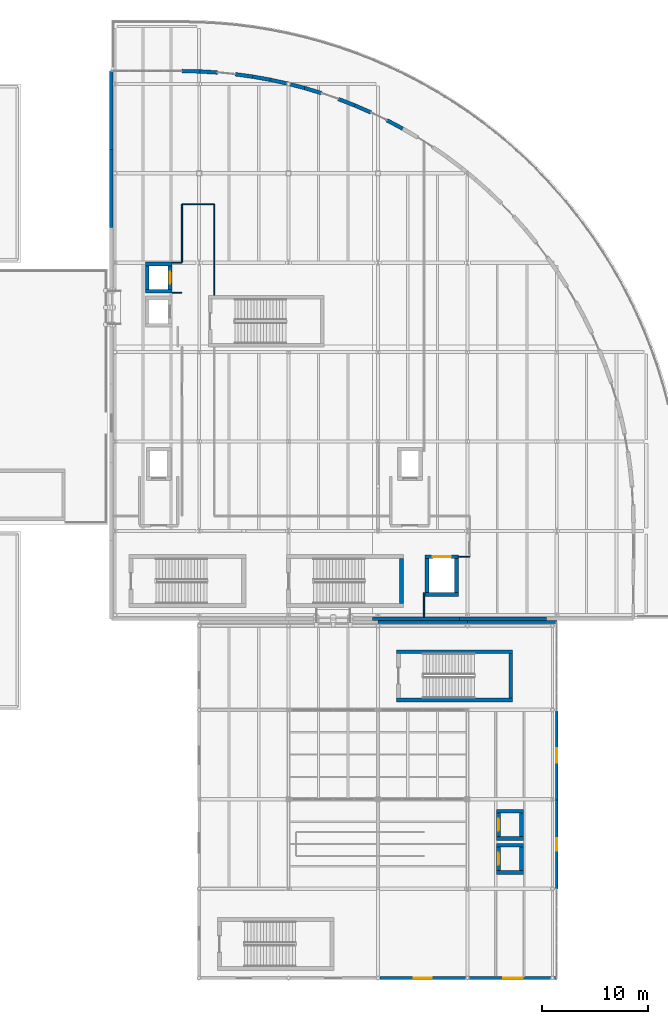
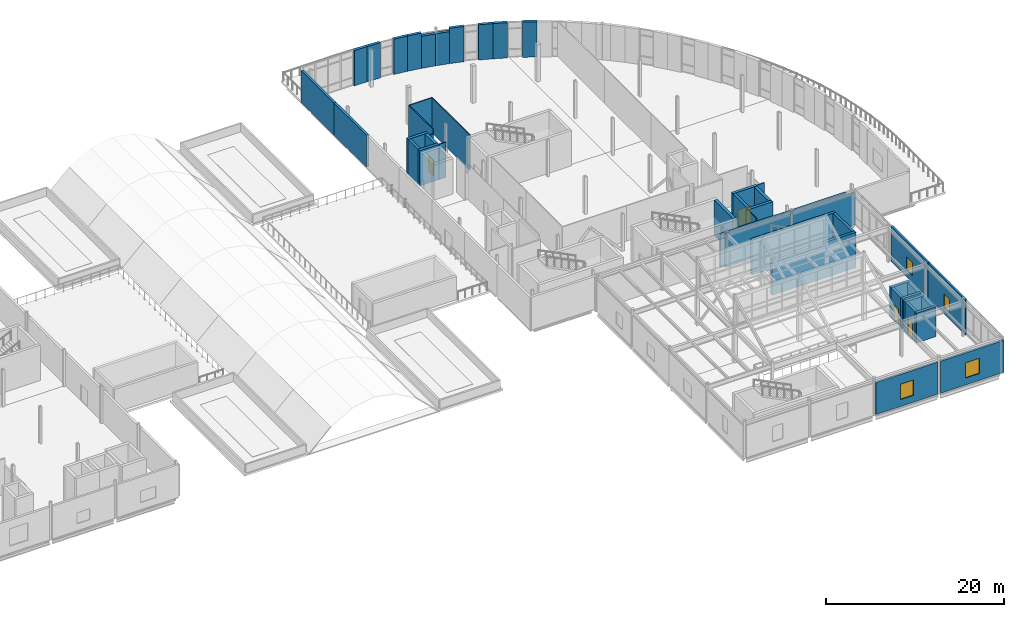
# One storey, part 70 of 91: 47 walls, 4 doors, 4 windows, 8 openings.
"""IFC4 building model written with IfcOpenShell, lengths in metres."""

import ifcopenshell
import ifcopenshell.guid

model = None  # the IFC model being written
_history = None  # IfcOwnerHistory: only IFC2X3 demands one
_inside = {}  # id of a spatial element -> (the spatial element, [elements in it])
_under = {}  # id of a project, library or spatial element -> (it, [spatial elements below it])
_declared = {}  # id of a project -> (the project, [libraries it declares])
_typed = {}  # id of a type object -> (the type object, [elements of that type])
_made_of = {}  # id of a material, layer set ... -> (it, [elements and type objects made of it])


def new_model(schema):
    """Start an empty IFC model of exactly this schema.

    Asked for "IFC4X3", IfcOpenShell would pick the latest addendum, in which some entities
    have other attributes; the version numbers below select the first issue.
    IFC2X3 requires an IfcOwnerHistory on every rooted entity: one is made here for all.
    """
    global model, _history
    if schema == "IFC4X3":
        model = ifcopenshell.file(schema_version=(4, 3, 0, 0))
    else:
        model = ifcopenshell.file(schema=schema)
    _inside.clear()
    _under.clear()
    _declared.clear()
    _typed.clear()
    _made_of.clear()
    _history = None
    if model.schema == "IFC2X3":
        org = make("IfcOrganization", Name="unknown")
        user = make(
            "IfcPersonAndOrganization",
            ThePerson=make("IfcPerson", FamilyName="unknown"),
            TheOrganization=org,
        )
        app = make(
            "IfcApplication",
            ApplicationDeveloper=org,
            Version="unknown",
            ApplicationFullName="unknown",
            ApplicationIdentifier="unknown",
        )
        _history = make(
            "IfcOwnerHistory",
            OwningUser=user,
            OwningApplication=app,
            ChangeAction="ADDED",
            CreationDate=0,
        )
    return model


def make(cls, **values):
    """One entity of the class cls with the attributes given. An attribute that is None is left unset."""
    return model.create_entity(
        cls, **{name: value for name, value in values.items() if value is not None}
    )


def rooted(cls, **values):
    """An entity with a GlobalId (a new one), such as an element, a storey or a relation."""
    return make(cls, GlobalId=ifcopenshell.guid.new(), OwnerHistory=_history, **values)


def si_unit(unit_type, name, prefix=None):
    """IfcSIUnit, for example si_unit("LENGTHUNIT", "METRE", prefix="MILLI")."""
    return make("IfcSIUnit", UnitType=unit_type, Prefix=prefix, Name=name)


def assignment(units):
    """IfcUnitAssignment: the units of a project."""
    return None if units is None else make("IfcUnitAssignment", Units=units)


def point(xyz):
    """IfcCartesianPoint."""
    return None if xyz is None else make("IfcCartesianPoint", Coordinates=xyz)


def direction(xyz):
    """IfcDirection."""
    return None if xyz is None else make("IfcDirection", DirectionRatios=xyz)


def frame(location, z_axis=None, x_axis=None):
    """IfcAxis2Placement3D, a coordinate frame: its origin and axes. An axis left out is left unset."""
    return make(
        "IfcAxis2Placement3D",
        Location=point(location),
        Axis=direction(z_axis),
        RefDirection=direction(x_axis),
    )


def frame_2d(location, x_axis=None):
    """IfcAxis2Placement2D, a coordinate frame in the plane: its origin and x axis."""
    return make(
        "IfcAxis2Placement2D", Location=point(location), RefDirection=direction(x_axis)
    )


def origin():
    """The frame at (0, 0, 0) with its axes left unset."""
    return frame((0.0, 0.0, 0.0))


def place(relative_to, where):
    """IfcLocalPlacement: puts the frame where relative to a parent placement (None: the world)."""
    return make(
        "IfcLocalPlacement", PlacementRelTo=relative_to, RelativePlacement=where
    )


def context(
    kind, dimensions, precision=None, world=None, true_north=None, identifier=None
):
    """IfcGeometricRepresentationContext, for example the 3D "Model" context."""
    return make(
        "IfcGeometricRepresentationContext",
        ContextIdentifier=identifier,
        ContextType=kind,
        CoordinateSpaceDimension=dimensions,
        Precision=precision,
        WorldCoordinateSystem=world,
        TrueNorth=true_north,
    )


def subcontext(parent, identifier, kind, view, scale=None):
    """IfcGeometricRepresentationSubContext, for example "Body" below "Model"."""
    return make(
        "IfcGeometricRepresentationSubContext",
        ContextIdentifier=identifier,
        ContextType=kind,
        ParentContext=parent,
        TargetScale=scale,
        TargetView=view,
    )


def project(units=None, contexts=None):
    """IfcProject with its units and contexts."""
    return rooted(
        "IfcProject",
        Name="project",
        RepresentationContexts=contexts,
        UnitsInContext=assignment(units),
    )


def spatial(cls, under=None, at=None, **own):
    """A site, building, storey or space (cls), placed at a placement, below another one or the project."""
    s = rooted(cls, ObjectPlacement=at, **own)
    if under is not None:
        _under.setdefault(under.id(), (under, []))[1].append(s)
    return s


def profile(cls, at=None, kind="AREA", **sizes):
    """A parametric profile (cls). Its sizes go by their IFC names, for example OverallWidth=200.0."""
    return make(cls, ProfileType=kind, Position=at, **sizes)


def rectangle(**sizes):
    """IfcRectangleProfileDef."""
    return profile("IfcRectangleProfileDef", **sizes)


def extrude(swept, where, along, depth):
    """IfcExtrudedAreaSolid: the profile swept, set in the frame where, extruded along a direction by depth."""
    return make(
        "IfcExtrudedAreaSolid",
        SweptArea=swept,
        Position=where,
        ExtrudedDirection=direction(along),
        Depth=depth,
    )


def shape(context_of_items, identifier, shape_type, items):
    """IfcShapeRepresentation: the items that make up one representation, for example the "Body"."""
    return make(
        "IfcShapeRepresentation",
        ContextOfItems=context_of_items,
        RepresentationIdentifier=identifier,
        RepresentationType=shape_type,
        Items=items,
    )


def material(Name=None, Category=None):
    """IfcMaterial."""
    return make("IfcMaterial", Name=Name, Category=Category)


def layer(
    of_material, thickness, ventilated=None, Name=None, Category=None, Priority=None
):
    """IfcMaterialLayer: one layer of a wall or slab, of a material (None: an air gap)."""
    return make(
        "IfcMaterialLayer",
        Material=of_material,
        LayerThickness=thickness,
        IsVentilated=ventilated,
        Name=Name,
        Category=Category,
        Priority=Priority,
    )


def layer_set(layers, Name=None):
    """IfcMaterialLayerSet."""
    return make("IfcMaterialLayerSet", MaterialLayers=layers, LayerSetName=Name)


def made_of(thing, what):
    """Note that an element or type object is made of a material, layer set ...; save() writes the relation."""
    if what is not None:
        _made_of.setdefault(what.id(), (what, []))[1].append(thing)
    return thing


def type_object(cls, material=None, **own):
    """A type object (cls), such as IfcWallType, which elements share."""
    return made_of(rooted(cls, **own), material)


def element(
    cls,
    number,
    at=None,
    inside=None,
    cuts=None,
    type_object=None,
    material=None,
    context=None,
    identifier="Body",
    shape_type=None,
    held_by="IfcProductDefinitionShape",
    body=None,
    shapes=None,
    **own,
):
    """One element of the class cls, such as IfcWall. Its Tag is "e" and its number.

    at: its placement. inside: the storey or other place that contains it. cuts: it is an
    opening in that element (IfcRelVoidsElement). A single representation is given by context,
    identifier, shape_type and body (its items); several are given by shapes. held_by: the class
    of the entity that holds the representations. save() writes the other relations.
    """
    e = rooted(cls, Tag="e%d" % number, ObjectPlacement=at, **own)
    if body is not None:
        shapes = [shape(context, identifier, shape_type, body)]
    if shapes is not None:
        e.Representation = make(held_by, Representations=shapes)
    if inside is not None:
        _inside.setdefault(inside.id(), (inside, []))[1].append(e)
    if cuts is not None:
        rooted(
            "IfcRelVoidsElement", RelatingBuildingElement=cuts, RelatedOpeningElement=e
        )
    if type_object is not None:
        _typed.setdefault(type_object.id(), (type_object, []))[1].append(e)
    return made_of(e, material)


def fill(opening, filler):
    """IfcRelFillsElement: the door or window that sits in an opening."""
    return rooted(
        "IfcRelFillsElement",
        RelatingOpeningElement=opening,
        RelatedBuildingElement=filler,
    )


def aggregate(whole, parts):
    """IfcRelAggregates: a whole, such as a stair, and the parts it consists of."""
    return rooted("IfcRelAggregates", RelatingObject=whole, RelatedObjects=parts)


def save(model, path):
    """Write the relations noted so far, then the file.

    IfcRelAggregates (storeys below a building ...), IfcRelContainedInSpatialStructure (elements
    in a storey), IfcRelDefinesByType, IfcRelAssociatesMaterial and IfcRelDeclares: one each for
    every whole, place, type object, material and project.
    """
    for whole, parts in _under.values():
        aggregate(whole, parts)
    for where, things in _inside.values():
        rooted(
            "IfcRelContainedInSpatialStructure",
            RelatedElements=things,
            RelatingStructure=where,
        )
    for kind, things in _typed.values():
        rooted("IfcRelDefinesByType", RelatedObjects=things, RelatingType=kind)
    for what, things in _made_of.values():
        rooted("IfcRelAssociatesMaterial", RelatedObjects=things, RelatingMaterial=what)
    for by, libraries in _declared.values():
        rooted("IfcRelDeclares", RelatingContext=by, RelatedDefinitions=libraries)
    model.write(path)


model = new_model("IFC4")

# Units and contexts
model_context = context("Model", 3, precision=1e-05, world=origin(), true_north=direction((0.0, 1.0)))
body_context = subcontext(model_context, "Body", "Model", "MODEL_VIEW")
ifc_project = project(units=[si_unit("LENGTHUNIT", "METRE"), si_unit("AREAUNIT", "SQUARE_METRE"), si_unit("VOLUMEUNIT", "CUBIC_METRE"), si_unit("PLANEANGLEUNIT", "RADIAN"), si_unit("MASSUNIT", "GRAM", prefix="KILO"), si_unit("THERMODYNAMICTEMPERATUREUNIT", "KELVIN")], contexts=[model_context])

# Site, building, storey
site_placement = place(None, origin())
site = spatial("IfcSite", under=ifc_project, at=site_placement, CompositionType="ELEMENT")
building_placement = place(site_placement, origin())
building = spatial("IfcBuilding", under=site, at=building_placement, Name="Lustrewick Department Store", CompositionType="ELEMENT")
storey_placement = place(building_placement, frame((0.0, 0.0, 21.60009765625)))
storey = spatial("IfcBuildingStorey", under=building, at=storey_placement, Name="L05", CompositionType="ELEMENT", Elevation=21.60009765625)

# Wall, opening, window
ifc_material_1 = material(Name="Precast concrete C40", Category="concrete")
ifc_layer_1 = layer(ifc_material_1, 0.239990234375, Name="Precast concrete C40")
ifc_layer_set_1 = layer_set([ifc_layer_1], Name="Precast concrete C40")
wall_type_1 = type_object("IfcWallType", Name="EW01", PredefinedType="STANDARD", material=ifc_layer_set_1)
wall_1_placement = place(storey_placement, frame((151.199951171875, 25.16259765625, 0.0), z_axis=(0.0, 0.0, 1.0), x_axis=(0.0, 1.0, 0.0)))
wall_1 = element("IfcWall", 1, at=wall_1_placement, inside=storey, type_object=wall_type_1, Name="L05 V3 Exterior Wall EW01", PredefinedType="STANDARD", context=body_context, shape_type="SweptSolid", body=[
    extrude(rectangle(XDim=8.3623046875, YDim=0.239990234375, at=frame_2d((4.18115234375, 0.0))), origin(), (0.0, 0.0, 1.0), 4.844970703125),
])
opening_1_placement = place(wall_1_placement, frame((3.581298828125, 0.0, 0.949951171875)))
opening_1 = element("IfcOpeningElement", 2, at=opening_1_placement, cuts=wall_1, Name="Opening WN01", PredefinedType="OPENING", context=body_context, shape_type="SweptSolid", body=[
    extrude(rectangle(XDim=1.199951171875, YDim=1.800048828125, at=frame_2d((0.60009765625, 0.89990234375))), frame((0.0, 0.1298828125, 0.0), z_axis=(0.0, -1.0, 0.0), x_axis=(1.0, 0.0, 0.0)), (0.0, 0.0, 1.0), 0.260009765625),
])
ifc_material_2 = material(Name="Thermally broken Low-E triple-glazed window", Category="glass")
window_type_1 = type_object("IfcWindowType", Name="WN01", PartitioningType="DOUBLE_PANEL_VERTICAL", PredefinedType="WINDOW", material=ifc_material_2)
window_1_placement = place(opening_1_placement, origin())
window_1 = element("IfcWindow", 3, at=window_1_placement, inside=storey, type_object=window_type_1, Name="L05 Art Nouveau Window WN01", OverallHeight=1.800048828125, OverallWidth=1.199951171875, PartitioningType="SINGLE_PANEL", PredefinedType="WINDOW", context=body_context, shape_type="SweptSolid", body=[
    extrude(rectangle(XDim=1.199951171875, YDim=1.800048828125, at=frame_2d((0.60009765625, 0.89990234375))), frame((0.0, 0.030029296875, 0.0), z_axis=(0.0, -1.0, 0.0), x_axis=(1.0, 0.0, 0.0)), (0.0, 0.0, 1.0), 0.06005859375),
])
fill(opening_1, window_1)

ifc_layer_2 = layer(ifc_material_1, 0.260009765625, Name="Precast concrete C40")
ifc_layer_set_2 = layer_set([ifc_layer_2], Name="Precast concrete C40")
wall_type_2 = type_object("IfcWallType", Name="EW02", PredefinedType="STANDARD", material=ifc_layer_set_2)
wall_2_placement = place(storey_placement, frame((151.199951171875, 33.52490234375, 0.0), z_axis=(0.0, 0.0, 1.0), x_axis=(0.0, 1.0, 0.0)))
wall_2 = element("IfcWall", 4, at=wall_2_placement, inside=storey, type_object=wall_type_2, Name="L05 V3 Exterior Wall EW02", PredefinedType="STANDARD", context=body_context, shape_type="SweptSolid", body=[
    extrude(rectangle(XDim=8.362548828125, YDim=0.260009765625, at=frame_2d((4.18115234375, 0.0))), origin(), (0.0, 0.0, 1.0), 4.844970703125),
])
opening_2_placement = place(wall_2_placement, frame((3.50634765625, 0.0, 0.949951171875)))
opening_2 = element("IfcOpeningElement", 5, at=opening_2_placement, cuts=wall_2, Name="Opening WN02", PredefinedType="OPENING", context=body_context, shape_type="SweptSolid", body=[
    extrude(rectangle(XDim=1.35009765625, YDim=1.800048828125, at=frame_2d((0.675048828125, 0.89990234375))), frame((0.0, 0.14013671875, 0.0), z_axis=(0.0, -1.0, 0.0), x_axis=(1.0, 0.0, 0.0)), (0.0, 0.0, 1.0), 0.280029296875),
])
window_type_2 = type_object("IfcWindowType", Name="WN02", PartitioningType="DOUBLE_PANEL_VERTICAL", PredefinedType="WINDOW", material=ifc_material_2)
window_2_placement = place(opening_2_placement, origin())
window_2 = element("IfcWindow", 6, at=window_2_placement, inside=storey, type_object=window_type_2, Name="L05 Art Nouveau Window WN02", OverallHeight=1.800048828125, OverallWidth=1.35009765625, PartitioningType="SINGLE_PANEL", PredefinedType="WINDOW", context=body_context, shape_type="SweptSolid", body=[
    extrude(rectangle(XDim=1.35009765625, YDim=1.800048828125, at=frame_2d((0.675048828125, 0.89990234375))), frame((0.0, 0.030029296875, 0.0), z_axis=(0.0, -1.0, 0.0), x_axis=(1.0, 0.0, 0.0)), (0.0, 0.0, 1.0), 0.06005859375),
])
fill(opening_2, window_2)

wall_3_placement = place(storey_placement, frame((134.572998046875, 16.800048828125, 0.0), z_axis=(0.0, 0.0, 1.0), x_axis=(1.0, 0.0, 0.0)))
wall_3 = element("IfcWall", 7, at=wall_3_placement, inside=storey, type_object=wall_type_2, Name="L05 V3 Exterior Wall EW02", PredefinedType="STANDARD", context=body_context, shape_type="SweptSolid", body=[
    extrude(rectangle(XDim=8.053955078125, YDim=0.260009765625, at=frame_2d((4.02685546875, 0.0))), origin(), (0.0, 0.0, 1.0), 4.39697265625),
])
opening_3_placement = place(wall_3_placement, frame((3.18701171875, 0.0, 0.949951171875)))
opening_3 = element("IfcOpeningElement", 8, at=opening_3_placement, cuts=wall_3, Name="Opening WN09", PredefinedType="OPENING", context=body_context, shape_type="SweptSolid", body=[
    extrude(rectangle(XDim=1.679931640625, YDim=2.10009765625, at=frame_2d((0.83984375, 1.050048828125))), frame((0.0, 0.14013671875, 0.0), z_axis=(0.0, -1.0, 0.0), x_axis=(1.0, 0.0, 0.0)), (0.0, 0.0, 1.0), 0.280029296875),
])
window_type_3 = type_object("IfcWindowType", Name="WN09", PartitioningType="DOUBLE_PANEL_VERTICAL", PredefinedType="WINDOW", material=ifc_material_2)
window_3_placement = place(opening_3_placement, origin())
window_3 = element("IfcWindow", 9, at=window_3_placement, inside=storey, type_object=window_type_3, Name="L05 Art Nouveau Window WN09", OverallHeight=2.10009765625, OverallWidth=1.679931640625, PartitioningType="SINGLE_PANEL", PredefinedType="WINDOW", context=body_context, shape_type="SweptSolid", body=[
    extrude(rectangle(XDim=1.679931640625, YDim=2.10009765625, at=frame_2d((0.83984375, 1.050048828125))), frame((0.0, 0.030029296875, 0.0), z_axis=(0.0, -1.0, 0.0), x_axis=(1.0, 0.0, 0.0)), (0.0, 0.0, 1.0), 0.06005859375),
])
fill(opening_3, window_3)

ifc_layer_3 = layer(ifc_material_1, 0.280029296875, Name="Precast concrete C40")
ifc_layer_set_3 = layer_set([ifc_layer_3], Name="Precast concrete C40")
wall_type_3 = type_object("IfcWallType", Name="EW03", PredefinedType="STANDARD", material=ifc_layer_set_3)
wall_4_placement = place(storey_placement, frame((142.972900390625, 16.800048828125, 0.0), z_axis=(0.0, 0.0, 1.0), x_axis=(1.0, 0.0, 0.0)))
wall_4 = element("IfcWall", 10, at=wall_4_placement, inside=storey, type_object=wall_type_3, Name="L05 V3 Exterior Wall EW03", PredefinedType="STANDARD", context=body_context, shape_type="SweptSolid", body=[
    extrude(rectangle(XDim=8.22705078125, YDim=0.280029296875, at=frame_2d((4.113525390625, 0.0))), origin(), (0.0, 0.0, 1.0), 4.39697265625),
])
opening_4_placement = place(wall_4_placement, frame((3.21337890625, 0.0, 0.949951171875)))
opening_4 = element("IfcOpeningElement", 11, at=opening_4_placement, cuts=wall_4, Name="Opening WN10", PredefinedType="OPENING", context=body_context, shape_type="SweptSolid", body=[
    extrude(rectangle(XDim=1.800048828125, YDim=2.10009765625, at=frame_2d((0.89990234375, 1.050048828125))), frame((0.0, 0.14990234375, 0.0), z_axis=(0.0, -1.0, 0.0), x_axis=(1.0, 0.0, 0.0)), (0.0, 0.0, 1.0), 0.300048828125),
])
window_type_4 = type_object("IfcWindowType", Name="WN10", PartitioningType="DOUBLE_PANEL_VERTICAL", PredefinedType="WINDOW", material=ifc_material_2)
window_4_placement = place(opening_4_placement, origin())
window_4 = element("IfcWindow", 12, at=window_4_placement, inside=storey, type_object=window_type_4, Name="L05 Art Nouveau Window WN10", OverallHeight=2.10009765625, OverallWidth=1.800048828125, PartitioningType="SINGLE_PANEL", PredefinedType="WINDOW", context=body_context, shape_type="SweptSolid", body=[
    extrude(rectangle(XDim=1.800048828125, YDim=2.10009765625, at=frame_2d((0.89990234375, 1.050048828125))), frame((0.0, 0.030029296875, 0.0), z_axis=(0.0, -1.0, 0.0), x_axis=(1.0, 0.0, 0.0)), (0.0, 0.0, 1.0), 0.06005859375),
])
fill(opening_4, window_4)

# Walls
ifc_layer_4 = layer(ifc_material_1, 0.300048828125, Name="Precast concrete C40")
ifc_layer_set_4 = layer_set([ifc_layer_4], Name="Precast concrete C40")
wall_type_4 = type_object("IfcWallType", Name="EW04", PredefinedType="STANDARD", material=ifc_layer_set_4)
wall_5_placement = place(storey_placement, frame((151.199951171875, 50.25, 0.0), z_axis=(0.0, 0.0, 1.0), x_axis=(-1.0, 0.0, 0.0)))
element("IfcWall", 13, at=wall_5_placement, inside=storey, type_object=wall_type_4, Name="L05 V3 Exterior Wall EW04", PredefinedType="STANDARD", context=body_context, shape_type="SweptSolid", body=[
    extrude(rectangle(XDim=8.39990234375, YDim=0.300048828125, at=frame_2d((4.199951171875, 0.0))), origin(), (0.0, 0.0, 1.0), 4.39697265625),
])
wall_6_placement = place(storey_placement, frame((142.800048828125, 50.25, 0.0), z_axis=(0.0, 0.0, 1.0), x_axis=(-1.0, 0.0, 0.0)))
element("IfcWall", 14, at=wall_6_placement, inside=storey, type_object=wall_type_4, Name="L05 V3 Exterior Wall EW04", PredefinedType="STANDARD", context=body_context, shape_type="SweptSolid", body=[
    extrude(rectangle(XDim=8.400146484375, YDim=0.300048828125, at=frame_2d((4.2001953125, 0.0))), origin(), (0.0, 0.0, 1.0), 4.39697265625),
])
for number, where, z_axis, x_axis, name in (
    (15, (133.875, 50.550048828125, 0.0), (0.0, 0.0, 1.0), (1.0, 0.0, 0.0), "L05 V4 Exterior Wall EW04"),
    (16, (142.050048828125, 50.550048828125, 0.0), (0.0, 0.0, 1.0), (1.0, 0.0, 0.0), "L05 V4 Exterior Wall EW04"),
):
    element("IfcWall", number, at=place(storey_placement, frame(where, z_axis=z_axis, x_axis=x_axis)), inside=storey, type_object=wall_type_4, Name=name, PredefinedType="STANDARD", context=body_context, shape_type="SweptSolid", body=[
        extrude(rectangle(XDim=8.175048828125, YDim=0.300048828125, at=frame_2d((4.08740234375, 0.0))), origin(), (0.0, 0.0, 1.0), 4.48681640625),
    ])
wall_7_placement = place(storey_placement, frame((109.35009765625, 102.0, 0.0), z_axis=(0.0, 0.0, 1.0), x_axis=(0.0, -1.0, 0.0)))
element("IfcWall", 17, at=wall_7_placement, inside=storey, type_object=wall_type_4, Name="L05 V4 Exterior Wall EW04", PredefinedType="STANDARD", context=body_context, shape_type="SweptSolid", body=[
    extrude(rectangle(XDim=7.35009765625, YDim=0.300048828125, at=frame_2d((3.675048828125, 0.0))), origin(), (0.0, 0.0, 1.0), 4.39697265625),
])
wall_8_placement = place(storey_placement, frame((109.35009765625, 94.64990234375, 0.0), z_axis=(0.0, 0.0, 1.0), x_axis=(0.0, -1.0, 0.0)))
element("IfcWall", 18, at=wall_8_placement, inside=storey, type_object=wall_type_4, Name="L05 V4 Exterior Wall EW04", PredefinedType="STANDARD", context=body_context, shape_type="SweptSolid", body=[
    extrude(rectangle(XDim=7.349853515625, YDim=0.300048828125, at=frame_2d((3.6748046875, 0.0))), origin(), (0.0, 0.0, 1.0), 4.39697265625),
])
ifc_layer_5 = layer(ifc_material_1, 0.35009765625, Name="Precast concrete C40")
ifc_layer_set_5 = layer_set([ifc_layer_5], Name="Precast concrete C40")
wall_type_5 = type_object("IfcWallType", Name="EW06", PredefinedType="STANDARD", material=ifc_layer_set_5)
wall_9_placement = place(storey_placement, frame((136.717529296875, 96.59375, 0.0), z_axis=(0.0, 0.0, 1.0), x_axis=(-0.881893827588, 0.471448063801, 0.0)))
element("IfcWall", 19, at=wall_9_placement, inside=storey, type_object=wall_type_5, Name="L05 V4 Exterior Wall EW06", PredefinedType="STANDARD", context=body_context, shape_type="SweptSolid", body=[
    extrude(rectangle(XDim=1.664794921875, YDim=0.35009765625, at=frame_2d((0.83251953125, 0.0))), origin(), (0.0, 0.0, 1.0), 4.844970703125),
])
for number, where, z_axis, x_axis, name in (
    (20, (133.751220703125, 98.105224609375, 0.0), (0.0, 0.0, 1.0), (-0.916184256241, 0.400757293903, 0.0), "L05 V4 Exterior Wall EW06"),
    (21, (132.225830078125, 98.7724609375, 0.0), (0.0, 0.0, 1.0), (-0.931201671313, 0.364504385905, 0.0), "L05 V4 Exterior Wall EW06"),
    (22, (129.102294921875, 99.9248046875, 0.0), (0.0, 0.0, 1.0), (-0.95692568947, 0.290332955126, 0.0), "L05 V4 Exterior Wall EW06"),
):
    element("IfcWall", number, at=place(storey_placement, frame(where, z_axis=z_axis, x_axis=x_axis)), inside=storey, type_object=wall_type_5, Name=name, PredefinedType="STANDARD", context=body_context, shape_type="SweptSolid", body=[
        extrude(rectangle(XDim=1.6650390625, YDim=0.35009765625, at=frame_2d((0.83251953125, 0.0))), origin(), (0.0, 0.0, 1.0), 4.844970703125),
    ])
wall_10_placement = place(storey_placement, frame((127.509033203125, 100.408203125, 0.0), z_axis=(0.0, 0.0, 1.0), x_axis=(-0.967589234434, 0.252529351576, 0.0)))
element("IfcWall", 23, at=wall_10_placement, inside=storey, type_object=wall_type_5, Name="L05 V4 Exterior Wall EW06", PredefinedType="STANDARD", context=body_context, shape_type="SweptSolid", body=[
    extrude(rectangle(XDim=1.664794921875, YDim=0.35009765625, at=frame_2d((0.83251953125, 0.0))), origin(), (0.0, 0.0, 1.0), 4.39697265625),
])
wall_11_placement = place(storey_placement, frame((125.898193359375, 100.82861328125, 0.0), z_axis=(0.0, 0.0, 1.0), x_axis=(-0.976787011901, 0.214212822634, 0.0)))
element("IfcWall", 24, at=wall_11_placement, inside=storey, type_object=wall_type_5, Name="L05 V4 Exterior Wall EW06", PredefinedType="STANDARD", context=body_context, shape_type="SweptSolid", body=[
    extrude(rectangle(XDim=1.6650390625, YDim=0.35009765625, at=frame_2d((0.83251953125, 0.0))), origin(), (0.0, 0.0, 1.0), 4.39697265625),
])
for number, where, z_axis, x_axis, name in (
    (25, (124.271728515625, 101.185302734375, 0.0), (0.0, 0.0, 1.0), (-0.984421230565, 0.17582616646, 0.0), "L05 V4 Exterior Wall EW06"),
    (26, (122.6328125, 101.47802734375, 0.0), (0.0, 0.0, 1.0), (-0.990575901421, 0.136964898879, 0.0), "L05 V4 Exterior Wall EW06"),
):
    element("IfcWall", number, at=place(storey_placement, frame(where, z_axis=z_axis, x_axis=x_axis)), inside=storey, type_object=wall_type_5, Name=name, PredefinedType="STANDARD", context=body_context, shape_type="SweptSolid", body=[
        extrude(rectangle(XDim=1.664794921875, YDim=0.35009765625, at=frame_2d((0.83251953125, 0.0))), origin(), (0.0, 0.0, 1.0), 4.844970703125),
    ])
wall_12_placement = place(storey_placement, frame((119.32666015625, 101.869384765625, 0.0), z_axis=(0.0, 0.0, 1.0), x_axis=(-0.998269819533, 0.058799382731, 0.0)))
element("IfcWall", 27, at=wall_12_placement, inside=storey, type_object=wall_type_5, Name="L05 V4 Exterior Wall EW06", PredefinedType="STANDARD", context=body_context, shape_type="SweptSolid", body=[
    extrude(rectangle(XDim=1.6650390625, YDim=0.35009765625, at=frame_2d((0.83251953125, 0.0))), origin(), (0.0, 0.0, 1.0), 4.844970703125),
])
wall_13_placement = place(storey_placement, frame((117.66455078125, 101.96728515625, 0.0), z_axis=(0.0, 0.0, 1.0), x_axis=(-0.999806918879, 0.019650062647, 0.0)))
element("IfcWall", 28, at=wall_13_placement, inside=storey, type_object=wall_type_5, Name="L05 V4 Exterior Wall EW06", PredefinedType="STANDARD", context=body_context, shape_type="SweptSolid", body=[
    extrude(rectangle(XDim=1.664794921875, YDim=0.35009765625, at=frame_2d((0.83251953125, 0.0))), origin(), (0.0, 0.0, 1.0), 4.844970703125),
])
ifc_material_3 = material(Name="Lightweight demountable studio partition", Category="gypsum")
ifc_layer_6 = layer(ifc_material_3, 0.10498046875, Name="Lightweight demountable studio partition")
ifc_layer_set_6 = layer_set([ifc_layer_6], Name="Lightweight demountable studio partition")
wall_type_6 = type_object("IfcWallType", Name="PW08", PredefinedType="PARTITIONING", material=ifc_layer_set_6)
wall_14_placement = place(storey_placement, frame((115.989990234375, 81.18994140625, 0.0), z_axis=(0.0, 0.0, 1.0), x_axis=(-1.0, 0.0, 0.0)))
element("IfcWall", 29, at=wall_14_placement, inside=storey, type_object=wall_type_6, Name="L05 Store Buying Office PW08", PredefinedType="PARTITIONING", context=body_context, shape_type="SweptSolid", body=[
    extrude(rectangle(XDim=0.929931640625, YDim=0.10498046875, at=frame_2d((0.46484375, 0.0))), origin(), (0.0, 0.0, 1.0), 4.844970703125),
])
wall_15_placement = place(storey_placement, frame((115.06005859375, 84.010009765625, 0.0), z_axis=(0.0, 0.0, 1.0), x_axis=(1.0, 0.0, 0.0)))
element("IfcWall", 30, at=wall_15_placement, inside=storey, type_object=wall_type_6, Name="L05 Store Buying Office PW08", PredefinedType="PARTITIONING", context=body_context, shape_type="SweptSolid", body=[
    extrude(rectangle(XDim=0.929931640625, YDim=0.10498046875, at=frame_2d((0.46484375, 0.0))), origin(), (0.0, 0.0, 1.0), 4.23095703125),
])
wall_16_placement = place(storey_placement, frame((119.010009765625, 89.5, 0.0), z_axis=(0.0, 0.0, 1.0), x_axis=(0.0, -1.0, 0.0)))
element("IfcWall", 31, at=wall_16_placement, inside=storey, type_object=wall_type_6, Name="L05 Store Buying Office PW08", PredefinedType="PARTITIONING", context=body_context, shape_type="SweptSolid", body=[
    extrude(rectangle(XDim=8.56494140625, YDim=0.10498046875, at=frame_2d((4.282470703125, 0.0))), origin(), (0.0, 0.0, 1.0), 4.844970703125),
])
wall_17_placement = place(storey_placement, frame((115.989990234375, 84.0576171875, 0.0), z_axis=(0.0, 0.0, 1.0), x_axis=(0.0, 1.0, 0.0)))
element("IfcWall", 32, at=wall_17_placement, inside=storey, type_object=wall_type_6, Name="L05 Store Buying Office PW08", PredefinedType="PARTITIONING", context=body_context, shape_type="SweptSolid", body=[
    extrude(rectangle(XDim=5.4423828125, YDim=0.10498046875, at=frame_2d((2.72119140625, 0.0))), origin(), (0.0, 0.0, 1.0), 4.844970703125),
])
wall_18_placement = place(storey_placement, frame((116.0, 89.510009765625, 0.0), z_axis=(0.0, 0.0, 1.0), x_axis=(1.0, 0.0, 0.0)))
element("IfcWall", 33, at=wall_18_placement, inside=storey, type_object=wall_type_6, Name="L05 Store Buying Office PW08", PredefinedType="PARTITIONING", context=body_context, shape_type="SweptSolid", body=[
    extrude(rectangle(XDim=3.0, YDim=0.10498046875, at=frame_2d((1.5, 0.0))), origin(), (0.0, 0.0, 1.0), 4.844970703125),
])
wall_19_placement = place(storey_placement, frame((143.0, 56.389892578125, 0.0), z_axis=(0.0, 0.0, 1.0), x_axis=(-1.0, 0.0, 0.0)))
element("IfcWall", 34, at=wall_19_placement, inside=storey, type_object=wall_type_6, Name="L05 Merchandise Planning Office PW08", PredefinedType="PARTITIONING", context=body_context, shape_type="SweptSolid", body=[
    extrude(rectangle(XDim=1.0400390625, YDim=0.10498046875, at=frame_2d((0.52001953125, 0.0))), origin(), (0.0, 0.0, 1.0), 4.844970703125),
])
wall_20_placement = place(storey_placement, frame((138.729248046875, 53.0, 0.0), z_axis=(0.0, 0.0, 1.0), x_axis=(0.0, -1.0, 0.0)))
element("IfcWall", 35, at=wall_20_placement, inside=storey, type_object=wall_type_6, Name="L05 Merchandise Planning Office PW08", PredefinedType="PARTITIONING", context=body_context, shape_type="SweptSolid", body=[
    extrude(rectangle(XDim=2.304931640625, YDim=0.10498046875, at=frame_2d((1.15234375, 0.0))), origin(), (0.0, 0.0, 1.0), 4.844970703125),
])
ifc_material_4 = material(Name="Concrete C40", Category="concrete")
ifc_layer_7 = layer(ifc_material_4, 0.3798828125, Name="Concrete C40")
ifc_layer_set_7 = layer_set([ifc_layer_7], Name="Concrete C40")
wall_type_7 = type_object("IfcWallType", Name="SW03", PredefinedType="SHEAR", material=ifc_layer_set_7)
wall_21_placement = place(storey_placement, frame((136.590087890625, 52.0, 0.0), z_axis=(0.0, 0.0, 1.0), x_axis=(0.0, 1.0, 0.0)))
element("IfcWall", 36, at=wall_21_placement, inside=storey, type_object=wall_type_7, Name="L05 Stair Core ST11 Shear Wall E", PredefinedType="SHEAR", context=body_context, shape_type="SweptSolid", body=[
    extrude(rectangle(XDim=4.199951171875, YDim=0.3798828125, at=frame_2d((2.10009765625, 0.0))), origin(), (0.0, 0.0, 1.0), 4.844970703125),
])
ifc_layer_8 = layer(ifc_material_4, 0.360107421875, Name="Concrete C40")
ifc_layer_set_8 = layer_set([ifc_layer_8], Name="Concrete C40")
wall_type_8 = type_object("IfcWallType", Name="SW04", PredefinedType="SHEAR", material=ifc_layer_set_8)
wall_22_placement = place(storey_placement, frame((145.5400390625, 26.719970703125, 0.0), z_axis=(0.0, 0.0, 1.0), x_axis=(1.0, 0.0, 0.0)))
element("IfcWall", 37, at=wall_22_placement, inside=storey, type_object=wall_type_8, Name="L05 Lift PL-05 Shaft Wall -Y", PredefinedType="SHEAR", context=body_context, shape_type="SweptSolid", body=[
    extrude(rectangle(XDim=2.52001953125, YDim=0.360107421875, at=frame_2d((1.260009765625, 0.0))), origin(), (0.0, 0.0, 1.0), 4.094970703125),
])
wall_23_placement = place(storey_placement, frame((147.8798828125, 26.89990234375, 0.0), z_axis=(0.0, 0.0, 1.0), x_axis=(0.0, 1.0, 0.0)))
element("IfcWall", 38, at=wall_23_placement, inside=storey, type_object=wall_type_8, Name="L05 Lift PL-05 Shaft Wall +X", PredefinedType="SHEAR", context=body_context, shape_type="SweptSolid", body=[
    extrude(rectangle(XDim=2.2001953125, YDim=0.360107421875, at=frame_2d((1.10009765625, 0.0))), origin(), (0.0, 0.0, 1.0), 4.094970703125),
])
wall_24_placement = place(storey_placement, frame((148.06005859375, 29.280029296875, 0.0), z_axis=(0.0, 0.0, 1.0), x_axis=(-1.0, 0.0, 0.0)))
element("IfcWall", 39, at=wall_24_placement, inside=storey, type_object=wall_type_8, Name="L05 Lift PL-05 Shaft Wall +Y", PredefinedType="SHEAR", context=body_context, shape_type="SweptSolid", body=[
    extrude(rectangle(XDim=2.52001953125, YDim=0.360107421875, at=frame_2d((1.260009765625, 0.0))), origin(), (0.0, 0.0, 1.0), 4.094970703125),
])

# Wall, opening, door
wall_25_placement = place(storey_placement, frame((145.719970703125, 29.10009765625, 0.0), z_axis=(0.0, 0.0, 1.0), x_axis=(0.0, -1.0, 0.0)))
wall_25 = element("IfcWall", 40, at=wall_25_placement, inside=storey, type_object=wall_type_8, Name="L05 Lift PL-05 Shaft Wall -X", PredefinedType="SHEAR", context=body_context, shape_type="SweptSolid", body=[
    extrude(rectangle(XDim=2.2001953125, YDim=0.360107421875, at=frame_2d((1.10009765625, 0.0))), origin(), (0.0, 0.0, 1.0), 4.094970703125),
])
opening_5_placement = place(wall_25_placement, frame((0.52490234375, 0.0, 0.0)))
opening_5 = element("IfcOpeningElement", 41, at=opening_5_placement, cuts=wall_25, Name="Opening LD-L05-06", PredefinedType="OPENING", context=body_context, shape_type="SweptSolid", body=[
    extrude(rectangle(XDim=1.14990234375, YDim=2.199951171875, at=frame_2d((0.574951171875, 1.10009765625))), frame((0.0, 0.18994140625, 0.0), z_axis=(0.0, -1.0, 0.0), x_axis=(1.0, 0.0, 0.0)), (0.0, 0.0, 1.0), 0.380126953125),
])
ifc_material_5 = material(Name="Brushed bronze passenger lift landing door EI 60", Category="steel")
door_type_1 = type_object("IfcDoorType", Name="DT-16", OperationType="NOTDEFINED", PredefinedType="DOOR", material=ifc_material_5)
door_1_placement = place(opening_5_placement, frame((1.14990234375, 0.0, 0.0), z_axis=(0.0, 0.0, 1.0), x_axis=(-1.0, 0.0, 0.0)))
door_1 = element("IfcDoor", 42, at=door_1_placement, inside=storey, type_object=door_type_1, Name="L05 Lift PL-05 Sliding Landing Door LD-L05-06", OperationType="DOUBLE_DOOR_SLIDING", OverallHeight=2.199951171875, OverallWidth=1.14990234375, PredefinedType="DOOR", context=body_context, shape_type="SweptSolid", body=[
    extrude(rectangle(XDim=1.14990234375, YDim=2.199951171875, at=frame_2d((0.574951171875, 1.10009765625))), frame((0.0, 0.02490234375, 0.0), z_axis=(0.0, -1.0, 0.0), x_axis=(1.0, 0.0, 0.0)), (0.0, 0.0, 1.0), 0.050048828125),
])
fill(opening_5, door_1)

# Walls
wall_26_placement = place(storey_placement, frame((145.5400390625, 29.919921875, 0.0), z_axis=(0.0, 0.0, 1.0), x_axis=(1.0, 0.0, 0.0)))
element("IfcWall", 43, at=wall_26_placement, inside=storey, type_object=wall_type_8, Name="L05 Lift PL-06 Shaft Wall -Y", PredefinedType="SHEAR", context=body_context, shape_type="SweptSolid", body=[
    extrude(rectangle(XDim=2.52001953125, YDim=0.360107421875, at=frame_2d((1.260009765625, 0.0))), origin(), (0.0, 0.0, 1.0), 4.094970703125),
])
wall_27_placement = place(storey_placement, frame((147.8798828125, 30.10009765625, 0.0), z_axis=(0.0, 0.0, 1.0), x_axis=(0.0, 1.0, 0.0)))
element("IfcWall", 44, at=wall_27_placement, inside=storey, type_object=wall_type_8, Name="L05 Lift PL-06 Shaft Wall +X", PredefinedType="SHEAR", context=body_context, shape_type="SweptSolid", body=[
    extrude(rectangle(XDim=2.199951171875, YDim=0.360107421875, at=frame_2d((1.10009765625, 0.0))), origin(), (0.0, 0.0, 1.0), 4.094970703125),
])
wall_28_placement = place(storey_placement, frame((148.06005859375, 32.47998046875, 0.0), z_axis=(0.0, 0.0, 1.0), x_axis=(-1.0, 0.0, 0.0)))
element("IfcWall", 45, at=wall_28_placement, inside=storey, type_object=wall_type_8, Name="L05 Lift PL-06 Shaft Wall +Y", PredefinedType="SHEAR", context=body_context, shape_type="SweptSolid", body=[
    extrude(rectangle(XDim=2.52001953125, YDim=0.360107421875, at=frame_2d((1.260009765625, 0.0))), origin(), (0.0, 0.0, 1.0), 4.094970703125),
])

# Wall, opening, door
wall_29_placement = place(storey_placement, frame((145.719970703125, 32.300048828125, 0.0), z_axis=(0.0, 0.0, 1.0), x_axis=(0.0, -1.0, 0.0)))
wall_29 = element("IfcWall", 46, at=wall_29_placement, inside=storey, type_object=wall_type_8, Name="L05 Lift PL-06 Shaft Wall -X", PredefinedType="SHEAR", context=body_context, shape_type="SweptSolid", body=[
    extrude(rectangle(XDim=2.199951171875, YDim=0.360107421875, at=frame_2d((1.10009765625, 0.0))), origin(), (0.0, 0.0, 1.0), 4.094970703125),
])
opening_6_placement = place(wall_29_placement, frame((0.52490234375, 0.0, 0.0)))
opening_6 = element("IfcOpeningElement", 47, at=opening_6_placement, cuts=wall_29, Name="Opening LD-L05-07", PredefinedType="OPENING", context=body_context, shape_type="SweptSolid", body=[
    extrude(rectangle(XDim=1.14990234375, YDim=2.199951171875, at=frame_2d((0.574951171875, 1.10009765625))), frame((0.0, 0.18994140625, 0.0), z_axis=(0.0, -1.0, 0.0), x_axis=(1.0, 0.0, 0.0)), (0.0, 0.0, 1.0), 0.380126953125),
])
door_2_placement = place(opening_6_placement, frame((1.14990234375, 0.0, 0.0), z_axis=(0.0, 0.0, 1.0), x_axis=(-1.0, 0.0, 0.0)))
door_2 = element("IfcDoor", 48, at=door_2_placement, inside=storey, type_object=door_type_1, Name="L05 Lift PL-06 Sliding Landing Door LD-L05-07", OperationType="DOUBLE_DOOR_SLIDING", OverallHeight=2.199951171875, OverallWidth=1.14990234375, PredefinedType="DOOR", context=body_context, shape_type="SweptSolid", body=[
    extrude(rectangle(XDim=1.14990234375, YDim=2.199951171875, at=frame_2d((0.574951171875, 1.10009765625))), frame((0.0, 0.02490234375, 0.0), z_axis=(0.0, -1.0, 0.0), x_axis=(1.0, 0.0, 0.0)), (0.0, 0.0, 1.0), 0.050048828125),
])
fill(opening_6, door_2)

# Wall
wall_30_placement = place(storey_placement, frame((112.5400390625, 81.320068359375, 0.0), z_axis=(0.0, 0.0, 1.0), x_axis=(1.0, 0.0, 0.0)))
element("IfcWall", 49, at=wall_30_placement, inside=storey, type_object=wall_type_8, Name="L05 Lift PL-08 Shaft Wall -Y", PredefinedType="SHEAR", context=body_context, shape_type="SweptSolid", body=[
    extrude(rectangle(XDim=2.52001953125, YDim=0.360107421875, at=frame_2d((1.260009765625, 0.0))), origin(), (0.0, 0.0, 1.0), 4.844970703125),
])

# Wall, opening, door
wall_31_placement = place(storey_placement, frame((114.8798828125, 81.5, 0.0), z_axis=(0.0, 0.0, 1.0), x_axis=(0.0, 1.0, 0.0)))
wall_31 = element("IfcWall", 50, at=wall_31_placement, inside=storey, type_object=wall_type_8, Name="L05 Lift PL-08 Shaft Wall +X", PredefinedType="SHEAR", context=body_context, shape_type="SweptSolid", body=[
    extrude(rectangle(XDim=2.199951171875, YDim=0.360107421875, at=frame_2d((1.10009765625, 0.0))), origin(), (0.0, 0.0, 1.0), 4.844970703125),
])
opening_7_placement = place(wall_31_placement, frame((0.52490234375, 0.0, 0.0)))
opening_7 = element("IfcOpeningElement", 51, at=opening_7_placement, cuts=wall_31, Name="Opening LD-L05-09", PredefinedType="OPENING", context=body_context, shape_type="SweptSolid", body=[
    extrude(rectangle(XDim=1.14990234375, YDim=2.199951171875, at=frame_2d((0.574951171875, 1.10009765625))), frame((0.0, 0.18994140625, 0.0), z_axis=(0.0, -1.0, 0.0), x_axis=(1.0, 0.0, 0.0)), (0.0, 0.0, 1.0), 0.380126953125),
])
door_3_placement = place(opening_7_placement, frame((1.14990234375, 0.0, 0.0), z_axis=(0.0, 0.0, 1.0), x_axis=(-1.0, 0.0, 0.0)))
door_3 = element("IfcDoor", 52, at=door_3_placement, inside=storey, type_object=door_type_1, Name="L05 Lift PL-08 Sliding Landing Door LD-L05-09", OperationType="DOUBLE_DOOR_SLIDING", OverallHeight=2.199951171875, OverallWidth=1.14990234375, PredefinedType="DOOR", context=body_context, shape_type="SweptSolid", body=[
    extrude(rectangle(XDim=1.14990234375, YDim=2.199951171875, at=frame_2d((0.574951171875, 1.10009765625))), frame((0.0, 0.02490234375, 0.0), z_axis=(0.0, -1.0, 0.0), x_axis=(1.0, 0.0, 0.0)), (0.0, 0.0, 1.0), 0.050048828125),
])
fill(opening_7, door_3)

# Walls
wall_32_placement = place(storey_placement, frame((115.06005859375, 83.8798828125, 0.0), z_axis=(0.0, 0.0, 1.0), x_axis=(-1.0, 0.0, 0.0)))
element("IfcWall", 53, at=wall_32_placement, inside=storey, type_object=wall_type_8, Name="L05 Lift PL-08 Shaft Wall +Y", PredefinedType="SHEAR", context=body_context, shape_type="SweptSolid", body=[
    extrude(rectangle(XDim=2.52001953125, YDim=0.360107421875, at=frame_2d((1.260009765625, 0.0))), origin(), (0.0, 0.0, 1.0), 4.844970703125),
])
wall_33_placement = place(storey_placement, frame((112.719970703125, 83.699951171875, 0.0), z_axis=(0.0, 0.0, 1.0), x_axis=(0.0, -1.0, 0.0)))
element("IfcWall", 54, at=wall_33_placement, inside=storey, type_object=wall_type_8, Name="L05 Lift PL-08 Shaft Wall -X", PredefinedType="SHEAR", context=body_context, shape_type="SweptSolid", body=[
    extrude(rectangle(XDim=2.199951171875, YDim=0.360107421875, at=frame_2d((1.10009765625, 0.0))), origin(), (0.0, 0.0, 1.0), 4.844970703125),
])
wall_34_placement = place(storey_placement, frame((138.840087890625, 52.820068359375, 0.0), z_axis=(0.0, 0.0, 1.0), x_axis=(1.0, 0.0, 0.0)))
element("IfcWall", 55, at=wall_34_placement, inside=storey, type_object=wall_type_8, Name="L05 Lift GL-04 Shaft Wall -Y", PredefinedType="SHEAR", context=body_context, shape_type="SweptSolid", body=[
    extrude(rectangle(XDim=3.119873046875, YDim=0.360107421875, at=frame_2d((1.56005859375, 0.0))), origin(), (0.0, 0.0, 1.0), 4.844970703125),
])
wall_35_placement = place(storey_placement, frame((141.780029296875, 53.0, 0.0), z_axis=(0.0, 0.0, 1.0), x_axis=(0.0, 1.0, 0.0)))
element("IfcWall", 56, at=wall_35_placement, inside=storey, type_object=wall_type_8, Name="L05 Lift GL-04 Shaft Wall +X", PredefinedType="SHEAR", context=body_context, shape_type="SweptSolid", body=[
    extrude(rectangle(XDim=3.199951171875, YDim=0.360107421875, at=frame_2d((1.60009765625, 0.0))), origin(), (0.0, 0.0, 1.0), 4.844970703125),
])

# Wall, opening, door
wall_36_placement = place(storey_placement, frame((141.9599609375, 56.3798828125, 0.0), z_axis=(0.0, 0.0, 1.0), x_axis=(-1.0, 0.0, 0.0)))
wall_36 = element("IfcWall", 57, at=wall_36_placement, inside=storey, type_object=wall_type_8, Name="L05 Lift GL-04 Shaft Wall +Y", PredefinedType="SHEAR", context=body_context, shape_type="SweptSolid", body=[
    extrude(rectangle(XDim=3.119873046875, YDim=0.360107421875, at=frame_2d((1.56005859375, 0.0))), origin(), (0.0, 0.0, 1.0), 4.844970703125),
])
opening_8_placement = place(wall_36_placement, frame((0.7099609375, 0.0, 0.0)))
opening_8 = element("IfcOpeningElement", 58, at=opening_8_placement, cuts=wall_36, Name="Opening LD-L05-11", PredefinedType="OPENING", context=body_context, shape_type="SweptSolid", body=[
    extrude(rectangle(XDim=1.699951171875, YDim=2.300048828125, at=frame_2d((0.85009765625, 1.14990234375))), frame((0.0, 0.18994140625, 0.0), z_axis=(0.0, -1.0, 0.0), x_axis=(1.0, 0.0, 0.0)), (0.0, 0.0, 1.0), 0.380126953125),
])
ifc_material_6 = material(Name="Heavy-duty stainless goods lift landing door EI 90", Category="steel")
door_type_2 = type_object("IfcDoorType", Name="DT-17", OperationType="NOTDEFINED", PredefinedType="DOOR", material=ifc_material_6)
door_4_placement = place(opening_8_placement, frame((1.699951171875, 0.0, 0.0), z_axis=(0.0, 0.0, 1.0), x_axis=(-1.0, 0.0, 0.0)))
door_4 = element("IfcDoor", 59, at=door_4_placement, inside=storey, type_object=door_type_2, Name="L05 Lift GL-04 Sliding Landing Door LD-L05-11", OperationType="DOUBLE_DOOR_SLIDING", OverallHeight=2.300048828125, OverallWidth=1.699951171875, PredefinedType="DOOR", context=body_context, shape_type="SweptSolid", body=[
    extrude(rectangle(XDim=1.699951171875, YDim=2.300048828125, at=frame_2d((0.85009765625, 1.14990234375))), frame((0.0, 0.02490234375, 0.0), z_axis=(0.0, -1.0, 0.0), x_axis=(1.0, 0.0, 0.0)), (0.0, 0.0, 1.0), 0.050048828125),
])
fill(opening_8, door_4)

# Walls
wall_37_placement = place(storey_placement, frame((139.02001953125, 56.199951171875, 0.0), z_axis=(0.0, 0.0, 1.0), x_axis=(0.0, -1.0, 0.0)))
element("IfcWall", 60, at=wall_37_placement, inside=storey, type_object=wall_type_8, Name="L05 Lift GL-04 Shaft Wall -X", PredefinedType="SHEAR", context=body_context, shape_type="SweptSolid", body=[
    extrude(rectangle(XDim=3.199951171875, YDim=0.360107421875, at=frame_2d((1.60009765625, 0.0))), origin(), (0.0, 0.0, 1.0), 4.844970703125),
])
ifc_layer_9 = layer(ifc_material_4, 0.340087890625, Name="Concrete C40")
ifc_layer_set_9 = layer_set([ifc_layer_9], Name="Concrete C40")
wall_type_9 = type_object("IfcWallType", Name="SW05", PredefinedType="SHEAR", material=ifc_layer_set_9)
wall_38_placement = place(storey_placement, frame((136.159912109375, 42.929931640625, 0.0), z_axis=(0.0, 0.0, 1.0), x_axis=(1.0, 0.0, 0.0)))
element("IfcWall", 61, at=wall_38_placement, inside=storey, type_object=wall_type_9, Name="L05 Stair Core ST08 Shear Wall S", PredefinedType="SHEAR", context=body_context, shape_type="SweptSolid", body=[
    extrude(rectangle(XDim=10.880126953125, YDim=0.340087890625, at=frame_2d((5.43994140625, 0.0))), origin(), (0.0, 0.0, 1.0), 4.844970703125),
])
wall_39_placement = place(storey_placement, frame((146.8701171875, 43.10009765625, 0.0), z_axis=(0.0, 0.0, 1.0), x_axis=(0.0, 1.0, 0.0)))
element("IfcWall", 62, at=wall_39_placement, inside=storey, type_object=wall_type_9, Name="L05 Stair Core ST08 Shear Wall E", PredefinedType="SHEAR", context=body_context, shape_type="SweptSolid", body=[
    extrude(rectangle(XDim=4.199951171875, YDim=0.340087890625, at=frame_2d((2.10009765625, 0.0))), origin(), (0.0, 0.0, 1.0), 4.844970703125),
])
wall_40_placement = place(storey_placement, frame((147.0400390625, 47.469970703125, 0.0), z_axis=(0.0, 0.0, 1.0), x_axis=(-1.0, 0.0, 0.0)))
element("IfcWall", 63, at=wall_40_placement, inside=storey, type_object=wall_type_9, Name="L05 Stair Core ST08 Shear Wall N", PredefinedType="SHEAR", context=body_context, shape_type="SweptSolid", body=[
    extrude(rectangle(XDim=10.880126953125, YDim=0.340087890625, at=frame_2d((5.43994140625, 0.0))), origin(), (0.0, 0.0, 1.0), 4.844970703125),
])

save(model, "model.ifc")
